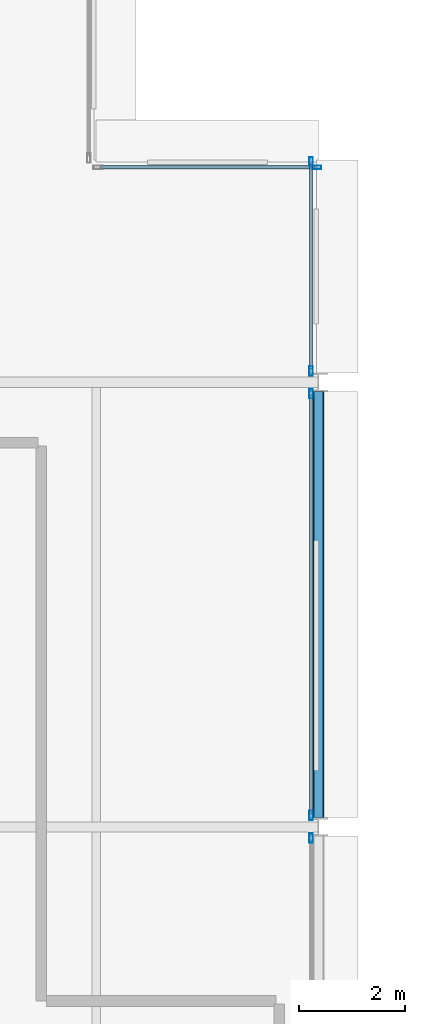
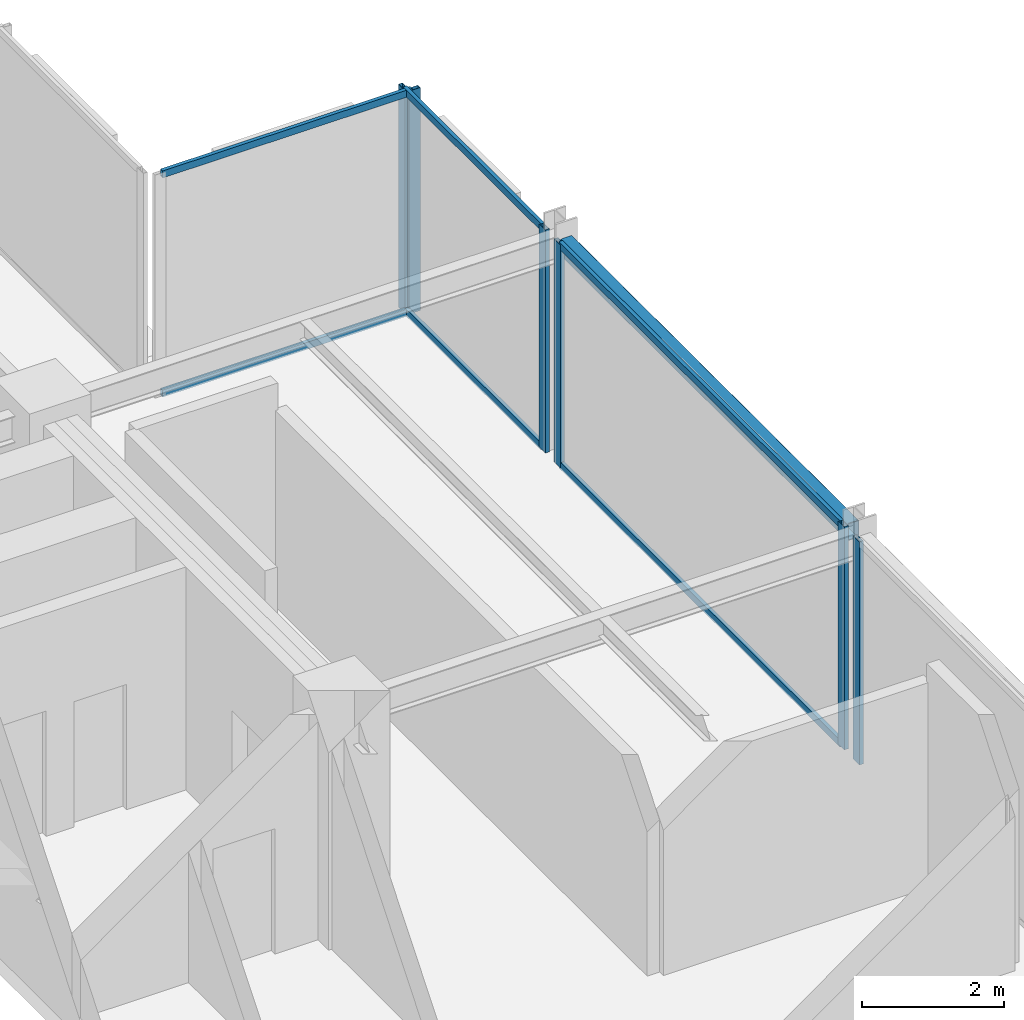
# One storey, part 22 of 29: 12 members, 1 beam, 4 elements without a shape of their own.
"""IFC4 building model written with IfcOpenShell, lengths in metres."""

from ifc_helpers import new_model, si_unit, direction, frame, origin, origin_2d, place, context, subcontext, project, spatial, hollow_rectangle, extrude, material, layer, layer_set, material_profile, profile_set, type_object, element, aggregate, save


model = new_model("IFC4")

# Units and contexts
model_context = context("Model", 3, precision=1e-05, world=origin(), true_north=direction((0.0, 1.0)))
body_context = subcontext(model_context, "Body", "Model", "MODEL_VIEW")
ifc_project = project(units=[si_unit("LENGTHUNIT", "METRE"), si_unit("AREAUNIT", "SQUARE_METRE"), si_unit("VOLUMEUNIT", "CUBIC_METRE"), si_unit("PLANEANGLEUNIT", "RADIAN"), si_unit("MASSUNIT", "GRAM", prefix="KILO")], contexts=[model_context])

# Site, building, storey
site_placement = place(None, origin())
site = spatial("IfcSite", under=ifc_project, at=site_placement, CompositionType="ELEMENT")
building_placement = place(site_placement, origin())
building = spatial("IfcBuilding", under=site, at=building_placement, Name="Nerrivon Quay Data Exchange", CompositionType="ELEMENT")
storey_placement = place(building_placement, frame((0.0, 0.0, 191.89990234375)))
storey = spatial("IfcBuildingStorey", under=building, at=storey_placement, Name="L45", CompositionType="ELEMENT", Elevation=191.89990234375)

# Beam
ifc_material_1 = material(Name="Steel Grade C350L0 (350 MPa)", Category="steel")
ifc_material_profile_1 = material_profile(ifc_material_1, hollow_rectangle(XDim=0.199951171875, YDim=0.300048828125, WallThickness=0.012451171875, InnerFilletRadius=0.018798828125, OuterFilletRadius=0.03125, at=origin_2d()), Name="300x200x12.5RHS")
ifc_profile_set_1 = profile_set([ifc_material_profile_1], Name="Steel Grade C350L0 (350 MPa)")
beam_type = type_object("IfcBeamType", Name="BM-SP3-300x200RHS", PredefinedType="SPANDREL", material=ifc_profile_set_1)
beam_placement = place(storey_placement, frame((25.199951171875, 33.77490234375, 3.675048828125), z_axis=(0.0, 1.0, 0.0), x_axis=(-1.0, 0.0, 0.0)))
element("IfcBeam", 1, at=beam_placement, inside=storey, type_object=beam_type, Name="L45 NS Girder X=25.2 (33.6..42.0)", PredefinedType="SPANDREL", context=body_context, shape_type="SweptSolid", body=[
    extrude(hollow_rectangle(XDim=0.199951171875, YDim=0.300048828125, WallThickness=0.012451171875, InnerFilletRadius=0.018798828125, OuterFilletRadius=0.03125, at=origin_2d()), origin(), (0.0, 0.0, 1.0), 8.050048828125),
])

# Curtain wall, member
ifc_material_2 = material(Name="Anodised aluminium 6063-T6", Category="aluminium")
ifc_layer = layer(ifc_material_2, 0.195068359375)
ifc_layer_set = layer_set([ifc_layer], Name="Anodised aluminium 6063-T6")
curtain_wall_type = type_object("IfcCurtainWallType", Name="CW-SYS-06", PredefinedType="NOTDEFINED", material=ifc_layer_set)
curtain_wall_1_placement = place(storey_placement, origin())
curtain_wall_1 = element("IfcCurtainWall", 2, at=curtain_wall_1_placement, inside=storey, type_object=curtain_wall_type, Name="L45 Unitised Curtain Wall 12", PredefinedType="NOTDEFINED")
ifc_material_profile_2 = material_profile(ifc_material_2, hollow_rectangle(XDim=0.06494140625, YDim=0.179931640625, WallThickness=0.00341796875, at=origin_2d()), Name="ALU-MULL-180x65")
ifc_profile_set_2 = profile_set([ifc_material_profile_2], Name="Anodised aluminium 6063-T6")
member_type_1 = type_object("IfcMemberType", Name="CWM-180x65", PredefinedType="MULLION", material=ifc_profile_set_2)
member_1_placement = place(storey_placement, frame((25.16259765625, 46.06005859375, 0.0), z_axis=(0.0, 0.0, 1.0), x_axis=(0.0, 1.0, 0.0)))
member_1 = element("IfcMember", 3, at=member_1_placement, type_object=member_type_1, Name="CW06 mullion 2", PredefinedType="MULLION", context=body_context, shape_type="SweptSolid", body=[
    extrude(hollow_rectangle(XDim=0.06494140625, YDim=0.179931640625, WallThickness=0.00341796875, at=origin_2d()), origin(), (0.0, 0.0, 1.0), 3.8251953125),
])

# Curtain wall, members
curtain_wall_2_placement = place(storey_placement, origin())
curtain_wall_2 = element("IfcCurtainWall", 4, at=curtain_wall_2_placement, inside=storey, type_object=curtain_wall_type, Name="L45 Unitised Curtain Wall 13", PredefinedType="NOTDEFINED")
member_2_placement = place(storey_placement, frame((25.06005859375, 46.16259765625, 0.0), z_axis=(0.0, 0.0, 1.0), x_axis=(1.0, 0.0, 0.0)))
member_2 = element("IfcMember", 5, at=member_2_placement, type_object=member_type_1, Name="CW06 mullion 1", PredefinedType="MULLION", context=body_context, shape_type="SweptSolid", body=[
    extrude(hollow_rectangle(XDim=0.06494140625, YDim=0.179931640625, WallThickness=0.00341796875, at=origin_2d()), origin(), (0.0, 0.0, 1.0), 3.8251953125),
])
member_3_placement = place(storey_placement, frame((25.06005859375, 42.21240234375, 0.0), z_axis=(0.0, 0.0, 1.0), x_axis=(1.0, 0.0, 0.0)))
member_3 = element("IfcMember", 6, at=member_3_placement, type_object=member_type_1, Name="CW06 mullion 2", PredefinedType="MULLION", context=body_context, shape_type="SweptSolid", body=[
    extrude(hollow_rectangle(XDim=0.06494140625, YDim=0.179931640625, WallThickness=0.00341796875, at=origin_2d()), origin(), (0.0, 0.0, 1.0), 3.8251953125),
])

curtain_wall_3_placement = place(storey_placement, origin())
curtain_wall_3 = element("IfcCurtainWall", 7, at=curtain_wall_3_placement, inside=storey, type_object=curtain_wall_type, Name="L45 Unitised Curtain Wall 14", PredefinedType="NOTDEFINED")
member_4_placement = place(storey_placement, frame((25.06005859375, 41.78759765625, 0.0), z_axis=(0.0, 0.0, 1.0), x_axis=(1.0, 0.0, 0.0)))
member_4 = element("IfcMember", 8, at=member_4_placement, type_object=member_type_1, Name="CW06 mullion 1", PredefinedType="MULLION", context=body_context, shape_type="SweptSolid", body=[
    extrude(hollow_rectangle(XDim=0.06494140625, YDim=0.179931640625, WallThickness=0.00341796875, at=origin_2d()), origin(), (0.0, 0.0, 1.0), 3.8251953125),
])
member_5_placement = place(storey_placement, frame((25.06005859375, 33.8125, 0.0), z_axis=(0.0, 0.0, 1.0), x_axis=(1.0, 0.0, 0.0)))
member_5 = element("IfcMember", 9, at=member_5_placement, type_object=member_type_1, Name="CW06 mullion 2", PredefinedType="MULLION", context=body_context, shape_type="SweptSolid", body=[
    extrude(hollow_rectangle(XDim=0.06494140625, YDim=0.179931640625, WallThickness=0.00341796875, at=origin_2d()), origin(), (0.0, 0.0, 1.0), 3.8251953125),
])

# Curtain wall, member
curtain_wall_4_placement = place(storey_placement, origin())
curtain_wall_4 = element("IfcCurtainWall", 10, at=curtain_wall_4_placement, inside=storey, type_object=curtain_wall_type, Name="L45 Unitised Curtain Wall 15", PredefinedType="NOTDEFINED")
member_6_placement = place(storey_placement, frame((25.06005859375, 33.387451171875, 0.0), z_axis=(0.0, 0.0, 1.0), x_axis=(1.0, 0.0, 0.0)))
member_6 = element("IfcMember", 11, at=member_6_placement, type_object=member_type_1, Name="CW06 mullion 1", PredefinedType="MULLION", context=body_context, shape_type="SweptSolid", body=[
    extrude(hollow_rectangle(XDim=0.06494140625, YDim=0.179931640625, WallThickness=0.00341796875, at=origin_2d()), origin(), (0.0, 0.0, 1.0), 3.8251953125),
])
aggregate(curtain_wall_4, [member_6])

# Member
ifc_material_profile_3 = material_profile(ifc_material_2, hollow_rectangle(XDim=0.06005859375, YDim=0.1201171875, WallThickness=0.003173828125, at=origin_2d()), Name="ALU-TRAN-120x60")
ifc_profile_set_3 = profile_set([ifc_material_profile_3], Name="Anodised aluminium 6063-T6")
member_type_2 = type_object("IfcMemberType", Name="CWT-120x60", PredefinedType="USERDEFINED", material=ifc_profile_set_3)
member_7_placement = place(storey_placement, frame((21.074951171875, 46.06005859375, 0.03271484375), z_axis=(1.0, 0.0, 0.0), x_axis=(0.0, 1.0, 0.0)))
member_7 = element("IfcMember", 12, at=member_7_placement, type_object=member_type_2, Name="CW06 transom 1.1", ObjectType="TRANSOM", PredefinedType="USERDEFINED", context=body_context, shape_type="SweptSolid", body=[
    extrude(hollow_rectangle(XDim=0.06005859375, YDim=0.1201171875, WallThickness=0.003173828125, at=origin_2d()), origin(), (0.0, 0.0, 1.0), 4.050048828125),
])

member_8_placement = place(storey_placement, frame((21.074951171875, 46.06005859375, 3.79248046875), z_axis=(1.0, 0.0, 0.0), x_axis=(0.0, 1.0, 0.0)))
member_8 = element("IfcMember", 13, at=member_8_placement, type_object=member_type_2, Name="CW06 transom 1.2", ObjectType="TRANSOM", PredefinedType="USERDEFINED", context=body_context, shape_type="SweptSolid", body=[
    extrude(hollow_rectangle(XDim=0.06005859375, YDim=0.1201171875, WallThickness=0.003173828125, at=origin_2d()), origin(), (0.0, 0.0, 1.0), 4.050048828125),
])

aggregate(curtain_wall_1, [member_1, member_7, member_8])

member_9_placement = place(storey_placement, frame((25.06005859375, 46.125, 0.03271484375), z_axis=(0.0, -1.0, 0.0), x_axis=(1.0, 0.0, 0.0)))
member_9 = element("IfcMember", 14, at=member_9_placement, type_object=member_type_2, Name="CW06 transom 1.1", ObjectType="TRANSOM", PredefinedType="USERDEFINED", context=body_context, shape_type="SweptSolid", body=[
    extrude(hollow_rectangle(XDim=0.06005859375, YDim=0.1201171875, WallThickness=0.003173828125, at=origin_2d()), origin(), (0.0, 0.0, 1.0), 3.875),
])

member_10_placement = place(storey_placement, frame((25.06005859375, 46.125, 3.79248046875), z_axis=(0.0, -1.0, 0.0), x_axis=(1.0, 0.0, 0.0)))
member_10 = element("IfcMember", 15, at=member_10_placement, type_object=member_type_2, Name="CW06 transom 1.2", ObjectType="TRANSOM", PredefinedType="USERDEFINED", context=body_context, shape_type="SweptSolid", body=[
    extrude(hollow_rectangle(XDim=0.06005859375, YDim=0.1201171875, WallThickness=0.003173828125, at=origin_2d()), origin(), (0.0, 0.0, 1.0), 3.875),
])

aggregate(curtain_wall_2, [member_2, member_3, member_9, member_10])

member_11_placement = place(storey_placement, frame((25.06005859375, 41.75, 0.03271484375), z_axis=(0.0, -1.0, 0.0), x_axis=(1.0, 0.0, 0.0)))
member_11 = element("IfcMember", 16, at=member_11_placement, type_object=member_type_2, Name="CW06 transom 1.1", ObjectType="TRANSOM", PredefinedType="USERDEFINED", context=body_context, shape_type="SweptSolid", body=[
    extrude(hollow_rectangle(XDim=0.06005859375, YDim=0.1201171875, WallThickness=0.003173828125, at=origin_2d()), origin(), (0.0, 0.0, 1.0), 7.89990234375),
])

member_12_placement = place(storey_placement, frame((25.06005859375, 41.75, 3.79248046875), z_axis=(0.0, -1.0, 0.0), x_axis=(1.0, 0.0, 0.0)))
member_12 = element("IfcMember", 17, at=member_12_placement, type_object=member_type_2, Name="CW06 transom 1.2", ObjectType="TRANSOM", PredefinedType="USERDEFINED", context=body_context, shape_type="SweptSolid", body=[
    extrude(hollow_rectangle(XDim=0.06005859375, YDim=0.1201171875, WallThickness=0.003173828125, at=origin_2d()), origin(), (0.0, 0.0, 1.0), 7.89990234375),
])

aggregate(curtain_wall_3, [member_4, member_5, member_11, member_12])

save(model, "model.ifc")
